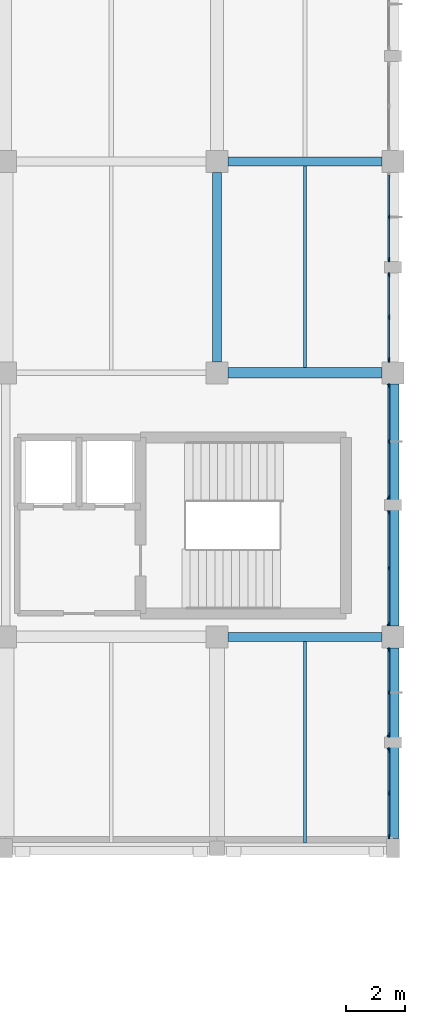
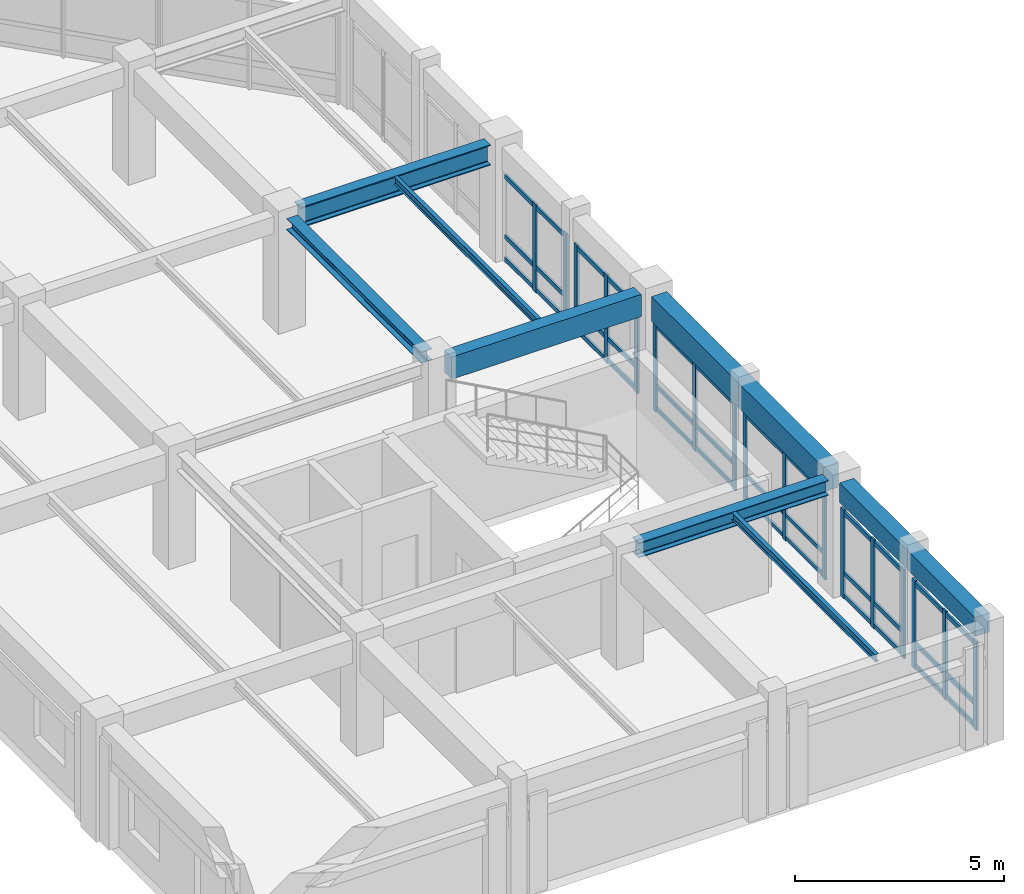
# One storey, part 35 of 74: 53 members, 8 beams, 6 elements without a shape of their own.
"""IFC4 building model written with IfcOpenShell, lengths in metres."""

import ifcopenshell
import ifcopenshell.guid

model = None  # the IFC model being written
_history = None  # IfcOwnerHistory: only IFC2X3 demands one
_inside = {}  # id of a spatial element -> (the spatial element, [elements in it])
_under = {}  # id of a project, library or spatial element -> (it, [spatial elements below it])
_declared = {}  # id of a project -> (the project, [libraries it declares])
_typed = {}  # id of a type object -> (the type object, [elements of that type])
_made_of = {}  # id of a material, layer set ... -> (it, [elements and type objects made of it])


def new_model(schema):
    """Start an empty IFC model of exactly this schema.

    Asked for "IFC4X3", IfcOpenShell would pick the latest addendum, in which some entities
    have other attributes; the version numbers below select the first issue.
    IFC2X3 requires an IfcOwnerHistory on every rooted entity: one is made here for all.
    """
    global model, _history
    if schema == "IFC4X3":
        model = ifcopenshell.file(schema_version=(4, 3, 0, 0))
    else:
        model = ifcopenshell.file(schema=schema)
    _inside.clear()
    _under.clear()
    _declared.clear()
    _typed.clear()
    _made_of.clear()
    _history = None
    if model.schema == "IFC2X3":
        org = make("IfcOrganization", Name="unknown")
        user = make(
            "IfcPersonAndOrganization",
            ThePerson=make("IfcPerson", FamilyName="unknown"),
            TheOrganization=org,
        )
        app = make(
            "IfcApplication",
            ApplicationDeveloper=org,
            Version="unknown",
            ApplicationFullName="unknown",
            ApplicationIdentifier="unknown",
        )
        _history = make(
            "IfcOwnerHistory",
            OwningUser=user,
            OwningApplication=app,
            ChangeAction="ADDED",
            CreationDate=0,
        )
    return model


def make(cls, **values):
    """One entity of the class cls with the attributes given. An attribute that is None is left unset."""
    return model.create_entity(
        cls, **{name: value for name, value in values.items() if value is not None}
    )


def rooted(cls, **values):
    """An entity with a GlobalId (a new one), such as an element, a storey or a relation."""
    return make(cls, GlobalId=ifcopenshell.guid.new(), OwnerHistory=_history, **values)


def si_unit(unit_type, name, prefix=None):
    """IfcSIUnit, for example si_unit("LENGTHUNIT", "METRE", prefix="MILLI")."""
    return make("IfcSIUnit", UnitType=unit_type, Prefix=prefix, Name=name)


def assignment(units):
    """IfcUnitAssignment: the units of a project."""
    return None if units is None else make("IfcUnitAssignment", Units=units)


def point(xyz):
    """IfcCartesianPoint."""
    return None if xyz is None else make("IfcCartesianPoint", Coordinates=xyz)


def direction(xyz):
    """IfcDirection."""
    return None if xyz is None else make("IfcDirection", DirectionRatios=xyz)


def frame(location, z_axis=None, x_axis=None):
    """IfcAxis2Placement3D, a coordinate frame: its origin and axes. An axis left out is left unset."""
    return make(
        "IfcAxis2Placement3D",
        Location=point(location),
        Axis=direction(z_axis),
        RefDirection=direction(x_axis),
    )


def frame_2d(location, x_axis=None):
    """IfcAxis2Placement2D, a coordinate frame in the plane: its origin and x axis."""
    return make(
        "IfcAxis2Placement2D", Location=point(location), RefDirection=direction(x_axis)
    )


def origin():
    """The frame at (0, 0, 0) with its axes left unset."""
    return frame((0.0, 0.0, 0.0))


def origin_2d():
    """The frame at (0, 0) in the plane with its x axis left unset."""
    return frame_2d((0.0, 0.0))


def place(relative_to, where):
    """IfcLocalPlacement: puts the frame where relative to a parent placement (None: the world)."""
    return make(
        "IfcLocalPlacement", PlacementRelTo=relative_to, RelativePlacement=where
    )


def context(
    kind, dimensions, precision=None, world=None, true_north=None, identifier=None
):
    """IfcGeometricRepresentationContext, for example the 3D "Model" context."""
    return make(
        "IfcGeometricRepresentationContext",
        ContextIdentifier=identifier,
        ContextType=kind,
        CoordinateSpaceDimension=dimensions,
        Precision=precision,
        WorldCoordinateSystem=world,
        TrueNorth=true_north,
    )


def subcontext(parent, identifier, kind, view, scale=None):
    """IfcGeometricRepresentationSubContext, for example "Body" below "Model"."""
    return make(
        "IfcGeometricRepresentationSubContext",
        ContextIdentifier=identifier,
        ContextType=kind,
        ParentContext=parent,
        TargetScale=scale,
        TargetView=view,
    )


def project(units=None, contexts=None):
    """IfcProject with its units and contexts."""
    return rooted(
        "IfcProject",
        Name="project",
        RepresentationContexts=contexts,
        UnitsInContext=assignment(units),
    )


def spatial(cls, under=None, at=None, **own):
    """A site, building, storey or space (cls), placed at a placement, below another one or the project."""
    s = rooted(cls, ObjectPlacement=at, **own)
    if under is not None:
        _under.setdefault(under.id(), (under, []))[1].append(s)
    return s


def profile(cls, at=None, kind="AREA", **sizes):
    """A parametric profile (cls). Its sizes go by their IFC names, for example OverallWidth=200.0."""
    return make(cls, ProfileType=kind, Position=at, **sizes)


def rectangle(**sizes):
    """IfcRectangleProfileDef."""
    return profile("IfcRectangleProfileDef", **sizes)


def i_section(**sizes):
    """IfcIShapeProfileDef."""
    return profile("IfcIShapeProfileDef", **sizes)


def extrude(swept, where, along, depth):
    """IfcExtrudedAreaSolid: the profile swept, set in the frame where, extruded along a direction by depth."""
    return make(
        "IfcExtrudedAreaSolid",
        SweptArea=swept,
        Position=where,
        ExtrudedDirection=direction(along),
        Depth=depth,
    )


def shape(context_of_items, identifier, shape_type, items):
    """IfcShapeRepresentation: the items that make up one representation, for example the "Body"."""
    return make(
        "IfcShapeRepresentation",
        ContextOfItems=context_of_items,
        RepresentationIdentifier=identifier,
        RepresentationType=shape_type,
        Items=items,
    )


def material(Name=None, Category=None):
    """IfcMaterial."""
    return make("IfcMaterial", Name=Name, Category=Category)


def material_profile(
    of_material, cross_section, Name=None, Category=None, Priority=None
):
    """IfcMaterialProfile: a cross section and its material."""
    return make(
        "IfcMaterialProfile",
        Name=Name,
        Material=of_material,
        Profile=cross_section,
        Priority=Priority,
        Category=Category,
    )


def profile_set(profiles, Name=None, composite=None):
    """IfcMaterialProfileSet."""
    return make(
        "IfcMaterialProfileSet",
        Name=Name,
        MaterialProfiles=profiles,
        CompositeProfile=composite,
    )


def made_of(thing, what):
    """Note that an element or type object is made of a material, layer set ...; save() writes the relation."""
    if what is not None:
        _made_of.setdefault(what.id(), (what, []))[1].append(thing)
    return thing


def type_object(cls, material=None, **own):
    """A type object (cls), such as IfcWallType, which elements share."""
    return made_of(rooted(cls, **own), material)


def element(
    cls,
    number,
    at=None,
    inside=None,
    cuts=None,
    type_object=None,
    material=None,
    context=None,
    identifier="Body",
    shape_type=None,
    held_by="IfcProductDefinitionShape",
    body=None,
    shapes=None,
    **own,
):
    """One element of the class cls, such as IfcWall. Its Tag is "e" and its number.

    at: its placement. inside: the storey or other place that contains it. cuts: it is an
    opening in that element (IfcRelVoidsElement). A single representation is given by context,
    identifier, shape_type and body (its items); several are given by shapes. held_by: the class
    of the entity that holds the representations. save() writes the other relations.
    """
    e = rooted(cls, Tag="e%d" % number, ObjectPlacement=at, **own)
    if body is not None:
        shapes = [shape(context, identifier, shape_type, body)]
    if shapes is not None:
        e.Representation = make(held_by, Representations=shapes)
    if inside is not None:
        _inside.setdefault(inside.id(), (inside, []))[1].append(e)
    if cuts is not None:
        rooted(
            "IfcRelVoidsElement", RelatingBuildingElement=cuts, RelatedOpeningElement=e
        )
    if type_object is not None:
        _typed.setdefault(type_object.id(), (type_object, []))[1].append(e)
    return made_of(e, material)


def aggregate(whole, parts):
    """IfcRelAggregates: a whole, such as a stair, and the parts it consists of."""
    return rooted("IfcRelAggregates", RelatingObject=whole, RelatedObjects=parts)


def save(model, path):
    """Write the relations noted so far, then the file.

    IfcRelAggregates (storeys below a building ...), IfcRelContainedInSpatialStructure (elements
    in a storey), IfcRelDefinesByType, IfcRelAssociatesMaterial and IfcRelDeclares: one each for
    every whole, place, type object, material and project.
    """
    for whole, parts in _under.values():
        aggregate(whole, parts)
    for where, things in _inside.values():
        rooted(
            "IfcRelContainedInSpatialStructure",
            RelatedElements=things,
            RelatingStructure=where,
        )
    for kind, things in _typed.values():
        rooted("IfcRelDefinesByType", RelatedObjects=things, RelatingType=kind)
    for what, things in _made_of.values():
        rooted("IfcRelAssociatesMaterial", RelatedObjects=things, RelatingMaterial=what)
    for by, libraries in _declared.values():
        rooted("IfcRelDeclares", RelatingContext=by, RelatedDefinitions=libraries)
    model.write(path)


model = new_model("IFC4")

# Units and contexts
model_context = context("Model", 3, precision=1e-05, world=origin(), true_north=direction((0.0, 1.0)))
body_context = subcontext(model_context, "Body", "Model", "MODEL_VIEW")
ifc_project = project(units=[si_unit("LENGTHUNIT", "METRE"), si_unit("AREAUNIT", "SQUARE_METRE"), si_unit("VOLUMEUNIT", "CUBIC_METRE"), si_unit("PLANEANGLEUNIT", "RADIAN"), si_unit("MASSUNIT", "GRAM", prefix="KILO")], contexts=[model_context])

# Site, building, storey
site_placement = place(None, origin())
site = spatial("IfcSite", under=ifc_project, at=site_placement, CompositionType="ELEMENT")
building_placement = place(site_placement, origin())
building = spatial("IfcBuilding", under=site, at=building_placement, Name="Clarverna Civic Hall", CompositionType="ELEMENT")
storey_placement = place(building_placement, frame((0.0, 0.0, 13.199951171875)))
storey = spatial("IfcBuildingStorey", under=building, at=storey_placement, Name="L03", CompositionType="ELEMENT", Elevation=13.199951171875)

# Beams
ifc_material_1 = material(Name="Concrete C35/45", Category="concrete")
ifc_material_profile_1 = material_profile(ifc_material_1, rectangle(XDim=0.35009765625, YDim=0.64990234375, at=origin_2d()), Name="RC 350x650")
ifc_profile_set_1 = profile_set([ifc_material_profile_1], Name="Concrete C35/45")
beam_type_1 = type_object("IfcBeamType", Name="B-RC17", PredefinedType="BEAM", material=ifc_profile_set_1)
beam_1_placement = place(storey_placement, frame((162.375, 87.800048828125, 2.9951171875), z_axis=(1.0, 0.0, 0.0), x_axis=(0.0, 1.0, 0.0)))
element("IfcBeam", 1, at=beam_1_placement, inside=storey, type_object=beam_type_1, Name="B-RC17-031", PredefinedType="BEAM", context=body_context, shape_type="SweptSolid", body=[
    extrude(rectangle(XDim=0.35009765625, YDim=0.64990234375, at=origin_2d()), origin(), (0.0, 0.0, 1.0), 5.25),
])
ifc_material_profile_2 = material_profile(ifc_material_1, rectangle(XDim=0.419921875, YDim=0.719970703125, at=origin_2d()), Name="RC 420x720")
ifc_profile_set_2 = profile_set([ifc_material_profile_2], Name="Concrete C35/45")
beam_type_2 = type_object("IfcBeamType", Name="B-SP1", PredefinedType="SPANDREL", material=ifc_profile_set_2)
beam_2_placement = place(storey_placement, frame((168.0, 79.175048828125, 2.9599609375), z_axis=(0.0, 1.0, 0.0), x_axis=(-1.0, 0.0, 0.0)))
element("IfcBeam", 2, at=beam_2_placement, inside=storey, type_object=beam_type_2, Name="B-SP1-126", PredefinedType="SPANDREL", context=body_context, shape_type="SweptSolid", body=[
    extrude(rectangle(XDim=0.419921875, YDim=0.719970703125, at=origin_2d()), origin(), (0.0, 0.0, 1.0), 8.25),
])
ifc_material_profile_3 = material_profile(ifc_material_1, rectangle(XDim=0.39990234375, YDim=0.56005859375, at=origin_2d()), Name="RC 400x560")
ifc_profile_set_3 = profile_set([ifc_material_profile_3], Name="Concrete C35/45")
beam_type_3 = type_object("IfcBeamType", Name="B-SP4", PredefinedType="SPANDREL", material=ifc_profile_set_3)
beam_3_placement = place(storey_placement, frame((168.0, 71.925048828125, 3.0400390625), z_axis=(0.0, 1.0, 0.0), x_axis=(-1.0, 0.0, 0.0)))
element("IfcBeam", 3, at=beam_3_placement, inside=storey, type_object=beam_type_3, Name="B-SP4-129", PredefinedType="SPANDREL", context=body_context, shape_type="SweptSolid", body=[
    extrude(rectangle(XDim=0.39990234375, YDim=0.56005859375, at=origin_2d()), origin(), (0.0, 0.0, 1.0), 6.5),
])
ifc_material_2 = material(Name="Steel S355", Category="steel")
ifc_material_profile_4 = material_profile(ifc_material_2, i_section(OverallWidth=0.300048828125, OverallDepth=0.60009765625, WebThickness=0.015380859375, FlangeThickness=0.030029296875, FilletRadius=0.027099609375, at=origin_2d()), Name="HEB 600")
ifc_profile_set_4 = profile_set([ifc_material_profile_4], Name="Steel S355")
beam_type_4 = type_object("IfcBeamType", Name="B-ST1", PredefinedType="BEAM", material=ifc_profile_set_4)
beam_4_placement = place(storey_placement, frame((162.375, 95.0, 3.02001953125), z_axis=(1.0, 0.0, 0.0), x_axis=(0.0, 1.0, 0.0)))
element("IfcBeam", 4, at=beam_4_placement, inside=storey, type_object=beam_type_4, Name="B-ST1-014", PredefinedType="BEAM", context=body_context, shape_type="SweptSolid", body=[
    extrude(i_section(OverallWidth=0.300048828125, OverallDepth=0.60009765625, WebThickness=0.015380859375, FlangeThickness=0.030029296875, FilletRadius=0.027099609375, at=origin_2d()), origin(), (0.0, 0.0, 1.0), 5.25),
])
ifc_material_profile_5 = material_profile(ifc_material_2, i_section(OverallWidth=0.300048828125, OverallDepth=0.43994140625, WebThickness=0.011474609375, FlangeThickness=0.02099609375, FilletRadius=0.027099609375, at=origin_2d()), Name="HEA 450")
ifc_profile_set_5 = profile_set([ifc_material_profile_5], Name="Steel S355")
beam_type_5 = type_object("IfcBeamType", Name="B-ST5", PredefinedType="BEAM", material=ifc_profile_set_5)
beam_5_placement = place(storey_placement, frame((162.375, 78.800048828125, 3.10009765625), z_axis=(1.0, 0.0, 0.0), x_axis=(0.0, 1.0, 0.0)))
element("IfcBeam", 5, at=beam_5_placement, inside=storey, type_object=beam_type_5, Name="B-ST5-108", PredefinedType="BEAM", context=body_context, shape_type="SweptSolid", body=[
    extrude(i_section(OverallWidth=0.300048828125, OverallDepth=0.43994140625, WebThickness=0.011474609375, FlangeThickness=0.02099609375, FilletRadius=0.027099609375, at=origin_2d()), origin(), (0.0, 0.0, 1.0), 5.25),
])
ifc_material_profile_6 = material_profile(ifc_material_2, i_section(OverallWidth=0.300048828125, OverallDepth=0.330078125, WebThickness=0.009521484375, FlangeThickness=0.0166015625, FilletRadius=0.027099609375, at=origin_2d()), Name="HEA 340")
ifc_profile_set_6 = profile_set([ifc_material_profile_6], Name="Steel S355")
beam_type_6 = type_object("IfcBeamType", Name="B-ST8", PredefinedType="BEAM", material=ifc_profile_set_6)
beam_6_placement = place(storey_placement, frame((162.0, 88.175048828125, 3.155029296875), z_axis=(0.0, 1.0, 0.0), x_axis=(-1.0, 0.0, 0.0)))
element("IfcBeam", 6, at=beam_6_placement, inside=storey, type_object=beam_type_6, Name="B-ST8-088", PredefinedType="BEAM", context=body_context, shape_type="SweptSolid", body=[
    extrude(i_section(OverallWidth=0.300048828125, OverallDepth=0.330078125, WebThickness=0.009521484375, FlangeThickness=0.0166015625, FilletRadius=0.027099609375, at=origin_2d()), origin(), (0.0, 0.0, 1.0), 6.449951171875),
])

# Curtain wall, members
ifc_material_3 = material(Name="Anodised Bronze Architectural Aluminium", Category="aluminium")
curtain_wall_type = type_object("IfcCurtainWallType", Name="CW-01", PredefinedType="USERDEFINED", material=ifc_material_3)
curtain_wall_1_placement = place(storey_placement, origin())
curtain_wall_1 = element("IfcCurtainWall", 7, at=curtain_wall_1_placement, inside=storey, type_object=curtain_wall_type, Name="CW-01-070", ObjectType="UNITISED CURTAIN WALL", PredefinedType="USERDEFINED")
ifc_material_profile_7 = material_profile(ifc_material_3, rectangle(XDim=0.06005859375, YDim=0.159912109375, at=origin_2d()), Name="BRONZE 60x160")
ifc_profile_set_7 = profile_set([ifc_material_profile_7], Name="Anodised Bronze Architectural Aluminium")
member_type_1 = type_object("IfcMemberType", Name="CWM-02", PredefinedType="MULLION", material=ifc_profile_set_7)
member_1_placement = place(storey_placement, frame((167.860107421875, 93.107421875, 0.0), z_axis=(0.0, 0.0, 1.0), x_axis=(1.0, 0.0, 0.0)))
member_1 = element("IfcMember", 8, at=member_1_placement, type_object=member_type_1, Name="CWM-02-157", PredefinedType="MULLION", context=body_context, shape_type="SweptSolid", body=[
    extrude(rectangle(XDim=0.06005859375, YDim=0.159912109375, at=origin_2d()), origin(), (0.0, 0.0, 1.0), 2.60009765625),
])
member_2_placement = place(storey_placement, frame((167.860107421875, 91.6630859375, 0.0), z_axis=(0.0, 0.0, 1.0), x_axis=(1.0, 0.0, 0.0)))
member_2 = element("IfcMember", 9, at=member_2_placement, type_object=member_type_1, Name="CWM-02-158", PredefinedType="MULLION", context=body_context, shape_type="SweptSolid", body=[
    extrude(rectangle(XDim=0.06005859375, YDim=0.159912109375, at=origin_2d()), origin(), (0.0, 0.0, 1.0), 2.60009765625),
])

curtain_wall_2_placement = place(storey_placement, origin())
curtain_wall_2 = element("IfcCurtainWall", 10, at=curtain_wall_2_placement, inside=storey, type_object=curtain_wall_type, Name="CW-01-071", ObjectType="UNITISED CURTAIN WALL", PredefinedType="USERDEFINED")
member_3_placement = place(storey_placement, frame((167.860107421875, 91.136962890625, 0.0), z_axis=(0.0, 0.0, 1.0), x_axis=(1.0, 0.0, 0.0)))
member_3 = element("IfcMember", 11, at=member_3_placement, type_object=member_type_1, Name="CWM-02-159", PredefinedType="MULLION", context=body_context, shape_type="SweptSolid", body=[
    extrude(rectangle(XDim=0.06005859375, YDim=0.159912109375, at=origin_2d()), origin(), (0.0, 0.0, 1.0), 2.60009765625),
])
member_4_placement = place(storey_placement, frame((167.860107421875, 89.6923828125, 0.0), z_axis=(0.0, 0.0, 1.0), x_axis=(1.0, 0.0, 0.0)))
member_4 = element("IfcMember", 12, at=member_4_placement, type_object=member_type_1, Name="CWM-02-160", PredefinedType="MULLION", context=body_context, shape_type="SweptSolid", body=[
    extrude(rectangle(XDim=0.06005859375, YDim=0.159912109375, at=origin_2d()), origin(), (0.0, 0.0, 1.0), 2.60009765625),
])
member_5_placement = place(storey_placement, frame((167.860107421875, 88.248046875, 0.0), z_axis=(0.0, 0.0, 1.0), x_axis=(1.0, 0.0, 0.0)))
member_5 = element("IfcMember", 13, at=member_5_placement, type_object=member_type_1, Name="CWM-02-161", PredefinedType="MULLION", context=body_context, shape_type="SweptSolid", body=[
    extrude(rectangle(XDim=0.06005859375, YDim=0.159912109375, at=origin_2d()), origin(), (0.0, 0.0, 1.0), 2.60009765625),
])

curtain_wall_3_placement = place(storey_placement, origin())
curtain_wall_3 = element("IfcCurtainWall", 14, at=curtain_wall_3_placement, inside=storey, type_object=curtain_wall_type, Name="CW-01-074", ObjectType="UNITISED CURTAIN WALL", PredefinedType="USERDEFINED")
member_6_placement = place(storey_placement, frame((167.860107421875, 78.35205078125, 0.0), z_axis=(0.0, 0.0, 1.0), x_axis=(1.0, 0.0, 0.0)))
member_6 = element("IfcMember", 15, at=member_6_placement, type_object=member_type_1, Name="CWM-02-162", PredefinedType="MULLION", context=body_context, shape_type="SweptSolid", body=[
    extrude(rectangle(XDim=0.06005859375, YDim=0.159912109375, at=origin_2d()), origin(), (0.0, 0.0, 1.0), 2.60009765625),
])
member_7_placement = place(storey_placement, frame((167.860107421875, 76.907470703125, 0.0), z_axis=(0.0, 0.0, 1.0), x_axis=(1.0, 0.0, 0.0)))
member_7 = element("IfcMember", 16, at=member_7_placement, type_object=member_type_1, Name="CWM-02-163", PredefinedType="MULLION", context=body_context, shape_type="SweptSolid", body=[
    extrude(rectangle(XDim=0.06005859375, YDim=0.159912109375, at=origin_2d()), origin(), (0.0, 0.0, 1.0), 2.60009765625),
])
member_8_placement = place(storey_placement, frame((167.860107421875, 75.462890625, 0.0), z_axis=(0.0, 0.0, 1.0), x_axis=(1.0, 0.0, 0.0)))
member_8 = element("IfcMember", 17, at=member_8_placement, type_object=member_type_1, Name="CWM-02-164", PredefinedType="MULLION", context=body_context, shape_type="SweptSolid", body=[
    extrude(rectangle(XDim=0.06005859375, YDim=0.159912109375, at=origin_2d()), origin(), (0.0, 0.0, 1.0), 2.60009765625),
])

curtain_wall_4_placement = place(storey_placement, origin())
curtain_wall_4 = element("IfcCurtainWall", 18, at=curtain_wall_4_placement, inside=storey, type_object=curtain_wall_type, Name="CW-01-075", ObjectType="UNITISED CURTAIN WALL", PredefinedType="USERDEFINED")
member_9_placement = place(storey_placement, frame((167.860107421875, 74.93701171875, 0.0), z_axis=(0.0, 0.0, 1.0), x_axis=(1.0, 0.0, 0.0)))
member_9 = element("IfcMember", 19, at=member_9_placement, type_object=member_type_1, Name="CWM-02-165", PredefinedType="MULLION", context=body_context, shape_type="SweptSolid", body=[
    extrude(rectangle(XDim=0.06005859375, YDim=0.159912109375, at=origin_2d()), origin(), (0.0, 0.0, 1.0), 2.60009765625),
])
member_10_placement = place(storey_placement, frame((167.860107421875, 73.467529296875, 0.0), z_axis=(0.0, 0.0, 1.0), x_axis=(1.0, 0.0, 0.0)))
member_10 = element("IfcMember", 20, at=member_10_placement, type_object=member_type_1, Name="CWM-02-166", PredefinedType="MULLION", context=body_context, shape_type="SweptSolid", body=[
    extrude(rectangle(XDim=0.06005859375, YDim=0.159912109375, at=origin_2d()), origin(), (0.0, 0.0, 1.0), 2.60009765625),
])
member_11_placement = place(storey_placement, frame((167.860107421875, 71.998046875, 0.0), z_axis=(0.0, 0.0, 1.0), x_axis=(1.0, 0.0, 0.0)))
member_11 = element("IfcMember", 21, at=member_11_placement, type_object=member_type_1, Name="CWM-02-167", PredefinedType="MULLION", context=body_context, shape_type="SweptSolid", body=[
    extrude(rectangle(XDim=0.06005859375, YDim=0.159912109375, at=origin_2d()), origin(), (0.0, 0.0, 1.0), 2.60009765625),
])

curtain_wall_5_placement = place(storey_placement, origin())
curtain_wall_5 = element("IfcCurtainWall", 22, at=curtain_wall_5_placement, inside=storey, type_object=curtain_wall_type, Name="CW-01-072", ObjectType="UNITISED CURTAIN WALL", PredefinedType="USERDEFINED")
ifc_material_profile_8 = material_profile(ifc_material_3, rectangle(XDim=0.054931640625, YDim=0.139892578125, at=origin_2d()), Name="BRONZE 55x140")
ifc_profile_set_8 = profile_set([ifc_material_profile_8], Name="Anodised Bronze Architectural Aluminium")
member_type_2 = type_object("IfcMemberType", Name="CWM-04", PredefinedType="MULLION", material=ifc_profile_set_8)
member_12_placement = place(storey_placement, frame((167.860107421875, 87.35205078125, 0.0), z_axis=(0.0, 0.0, 1.0), x_axis=(1.0, 0.0, 0.0)))
member_12 = element("IfcMember", 23, at=member_12_placement, type_object=member_type_2, Name="CWM-04-162", PredefinedType="MULLION", context=body_context, shape_type="SweptSolid", body=[
    extrude(rectangle(XDim=0.054931640625, YDim=0.139892578125, at=origin_2d()), origin(), (0.0, 0.0, 1.0), 2.60009765625),
])
member_13_placement = place(storey_placement, frame((167.860107421875, 85.45751953125, 0.0), z_axis=(0.0, 0.0, 1.0), x_axis=(1.0, 0.0, 0.0)))
member_13 = element("IfcMember", 24, at=member_13_placement, type_object=member_type_2, Name="CWM-04-163", PredefinedType="MULLION", context=body_context, shape_type="SweptSolid", body=[
    extrude(rectangle(XDim=0.054931640625, YDim=0.139892578125, at=origin_2d()), origin(), (0.0, 0.0, 1.0), 2.60009765625),
])
member_14_placement = place(storey_placement, frame((167.860107421875, 83.56298828125, 0.0), z_axis=(0.0, 0.0, 1.0), x_axis=(1.0, 0.0, 0.0)))
member_14 = element("IfcMember", 25, at=member_14_placement, type_object=member_type_2, Name="CWM-04-164", PredefinedType="MULLION", context=body_context, shape_type="SweptSolid", body=[
    extrude(rectangle(XDim=0.054931640625, YDim=0.139892578125, at=origin_2d()), origin(), (0.0, 0.0, 1.0), 2.60009765625),
])

curtain_wall_6_placement = place(storey_placement, origin())
curtain_wall_6 = element("IfcCurtainWall", 26, at=curtain_wall_6_placement, inside=storey, type_object=curtain_wall_type, Name="CW-01-073", ObjectType="UNITISED CURTAIN WALL", PredefinedType="USERDEFINED")
member_15_placement = place(storey_placement, frame((167.860107421875, 83.037109375, 0.0), z_axis=(0.0, 0.0, 1.0), x_axis=(1.0, 0.0, 0.0)))
member_15 = element("IfcMember", 27, at=member_15_placement, type_object=member_type_2, Name="CWM-04-165", PredefinedType="MULLION", context=body_context, shape_type="SweptSolid", body=[
    extrude(rectangle(XDim=0.054931640625, YDim=0.139892578125, at=origin_2d()), origin(), (0.0, 0.0, 1.0), 2.60009765625),
])
member_16_placement = place(storey_placement, frame((167.860107421875, 81.142578125, 0.0), z_axis=(0.0, 0.0, 1.0), x_axis=(1.0, 0.0, 0.0)))
member_16 = element("IfcMember", 28, at=member_16_placement, type_object=member_type_2, Name="CWM-04-166", PredefinedType="MULLION", context=body_context, shape_type="SweptSolid", body=[
    extrude(rectangle(XDim=0.054931640625, YDim=0.139892578125, at=origin_2d()), origin(), (0.0, 0.0, 1.0), 2.60009765625),
])
member_17_placement = place(storey_placement, frame((167.860107421875, 79.248046875, 0.0), z_axis=(0.0, 0.0, 1.0), x_axis=(1.0, 0.0, 0.0)))
member_17 = element("IfcMember", 29, at=member_17_placement, type_object=member_type_2, Name="CWM-04-167", PredefinedType="MULLION", context=body_context, shape_type="SweptSolid", body=[
    extrude(rectangle(XDim=0.054931640625, YDim=0.139892578125, at=origin_2d()), origin(), (0.0, 0.0, 1.0), 2.60009765625),
])

# Member
ifc_material_profile_9 = material_profile(ifc_material_3, rectangle(XDim=0.06005859375, YDim=0.1298828125, at=origin_2d()), Name="BRONZE 60x130")
ifc_profile_set_9 = profile_set([ifc_material_profile_9], Name="Anodised Bronze Architectural Aluminium")
member_type_3 = type_object("IfcMemberType", Name="CWT-02", PredefinedType="USERDEFINED", material=ifc_profile_set_9)
member_18_placement = place(storey_placement, frame((167.860107421875, 94.537109375, 0.094970703125), z_axis=(0.0, -1.0, 0.0), x_axis=(1.0, 0.0, 0.0)))
member_18 = element("IfcMember", 30, at=member_18_placement, type_object=member_type_3, Name="CWT-02-328", ObjectType="TRANSOM", PredefinedType="USERDEFINED", context=body_context, shape_type="SweptSolid", body=[
    extrude(rectangle(XDim=0.06005859375, YDim=0.1298828125, at=origin_2d()), origin(), (0.0, 0.0, 1.0), 1.41455078125),
])

member_19_placement = place(storey_placement, frame((167.860107421875, 94.537109375, 0.75), z_axis=(0.0, -1.0, 0.0), x_axis=(1.0, 0.0, 0.0)))
member_19 = element("IfcMember", 31, at=member_19_placement, type_object=member_type_3, Name="CWT-02-329", ObjectType="TRANSOM", PredefinedType="USERDEFINED", context=body_context, shape_type="SweptSolid", body=[
    extrude(rectangle(XDim=0.06005859375, YDim=0.1298828125, at=origin_2d()), origin(), (0.0, 0.0, 1.0), 1.41455078125),
])

member_20_placement = place(storey_placement, frame((167.860107421875, 94.537109375, 2.505126953125), z_axis=(0.0, -1.0, 0.0), x_axis=(1.0, 0.0, 0.0)))
member_20 = element("IfcMember", 32, at=member_20_placement, type_object=member_type_3, Name="CWT-02-330", ObjectType="TRANSOM", PredefinedType="USERDEFINED", context=body_context, shape_type="SweptSolid", body=[
    extrude(rectangle(XDim=0.06005859375, YDim=0.1298828125, at=origin_2d()), origin(), (0.0, 0.0, 1.0), 1.41455078125),
])

member_21_placement = place(storey_placement, frame((167.860107421875, 93.092529296875, 0.094970703125), z_axis=(0.0, -1.0, 0.0), x_axis=(1.0, 0.0, 0.0)))
member_21 = element("IfcMember", 33, at=member_21_placement, type_object=member_type_3, Name="CWT-02-331", ObjectType="TRANSOM", PredefinedType="USERDEFINED", context=body_context, shape_type="SweptSolid", body=[
    extrude(rectangle(XDim=0.06005859375, YDim=0.1298828125, at=origin_2d()), origin(), (0.0, 0.0, 1.0), 1.41455078125),
])

member_22_placement = place(storey_placement, frame((167.860107421875, 93.092529296875, 0.75), z_axis=(0.0, -1.0, 0.0), x_axis=(1.0, 0.0, 0.0)))
member_22 = element("IfcMember", 34, at=member_22_placement, type_object=member_type_3, Name="CWT-02-332", ObjectType="TRANSOM", PredefinedType="USERDEFINED", context=body_context, shape_type="SweptSolid", body=[
    extrude(rectangle(XDim=0.06005859375, YDim=0.1298828125, at=origin_2d()), origin(), (0.0, 0.0, 1.0), 1.41455078125),
])

member_23_placement = place(storey_placement, frame((167.860107421875, 93.092529296875, 2.505126953125), z_axis=(0.0, -1.0, 0.0), x_axis=(1.0, 0.0, 0.0)))
member_23 = element("IfcMember", 35, at=member_23_placement, type_object=member_type_3, Name="CWT-02-333", ObjectType="TRANSOM", PredefinedType="USERDEFINED", context=body_context, shape_type="SweptSolid", body=[
    extrude(rectangle(XDim=0.06005859375, YDim=0.1298828125, at=origin_2d()), origin(), (0.0, 0.0, 1.0), 1.41455078125),
])

aggregate(curtain_wall_1, [member_1, member_2, member_18, member_19, member_20, member_21, member_22, member_23])

member_24_placement = place(storey_placement, frame((167.860107421875, 91.1220703125, 0.094970703125), z_axis=(0.0, -1.0, 0.0), x_axis=(1.0, 0.0, 0.0)))
member_24 = element("IfcMember", 36, at=member_24_placement, type_object=member_type_3, Name="CWT-02-334", ObjectType="TRANSOM", PredefinedType="USERDEFINED", context=body_context, shape_type="SweptSolid", body=[
    extrude(rectangle(XDim=0.06005859375, YDim=0.1298828125, at=origin_2d()), origin(), (0.0, 0.0, 1.0), 1.41455078125),
])

member_25_placement = place(storey_placement, frame((167.860107421875, 91.1220703125, 0.75), z_axis=(0.0, -1.0, 0.0), x_axis=(1.0, 0.0, 0.0)))
member_25 = element("IfcMember", 37, at=member_25_placement, type_object=member_type_3, Name="CWT-02-335", ObjectType="TRANSOM", PredefinedType="USERDEFINED", context=body_context, shape_type="SweptSolid", body=[
    extrude(rectangle(XDim=0.06005859375, YDim=0.1298828125, at=origin_2d()), origin(), (0.0, 0.0, 1.0), 1.41455078125),
])

member_26_placement = place(storey_placement, frame((167.860107421875, 91.1220703125, 2.505126953125), z_axis=(0.0, -1.0, 0.0), x_axis=(1.0, 0.0, 0.0)))
member_26 = element("IfcMember", 38, at=member_26_placement, type_object=member_type_3, Name="CWT-02-336", ObjectType="TRANSOM", PredefinedType="USERDEFINED", context=body_context, shape_type="SweptSolid", body=[
    extrude(rectangle(XDim=0.06005859375, YDim=0.1298828125, at=origin_2d()), origin(), (0.0, 0.0, 1.0), 1.41455078125),
])

member_27_placement = place(storey_placement, frame((167.860107421875, 89.677490234375, 0.094970703125), z_axis=(0.0, -1.0, 0.0), x_axis=(1.0, 0.0, 0.0)))
member_27 = element("IfcMember", 39, at=member_27_placement, type_object=member_type_3, Name="CWT-02-337", ObjectType="TRANSOM", PredefinedType="USERDEFINED", context=body_context, shape_type="SweptSolid", body=[
    extrude(rectangle(XDim=0.06005859375, YDim=0.1298828125, at=origin_2d()), origin(), (0.0, 0.0, 1.0), 1.41455078125),
])

member_28_placement = place(storey_placement, frame((167.860107421875, 89.677490234375, 0.75), z_axis=(0.0, -1.0, 0.0), x_axis=(1.0, 0.0, 0.0)))
member_28 = element("IfcMember", 40, at=member_28_placement, type_object=member_type_3, Name="CWT-02-338", ObjectType="TRANSOM", PredefinedType="USERDEFINED", context=body_context, shape_type="SweptSolid", body=[
    extrude(rectangle(XDim=0.06005859375, YDim=0.1298828125, at=origin_2d()), origin(), (0.0, 0.0, 1.0), 1.41455078125),
])

member_29_placement = place(storey_placement, frame((167.860107421875, 89.677490234375, 2.505126953125), z_axis=(0.0, -1.0, 0.0), x_axis=(1.0, 0.0, 0.0)))
member_29 = element("IfcMember", 41, at=member_29_placement, type_object=member_type_3, Name="CWT-02-339", ObjectType="TRANSOM", PredefinedType="USERDEFINED", context=body_context, shape_type="SweptSolid", body=[
    extrude(rectangle(XDim=0.06005859375, YDim=0.1298828125, at=origin_2d()), origin(), (0.0, 0.0, 1.0), 1.41455078125),
])

aggregate(curtain_wall_2, [member_3, member_4, member_5, member_24, member_25, member_26, member_27, member_28, member_29])

member_30_placement = place(storey_placement, frame((167.860107421875, 78.3369140625, 0.094970703125), z_axis=(0.0, -1.0, 0.0), x_axis=(1.0, 0.0, 0.0)))
member_30 = element("IfcMember", 42, at=member_30_placement, type_object=member_type_3, Name="CWT-02-340", ObjectType="TRANSOM", PredefinedType="USERDEFINED", context=body_context, shape_type="SweptSolid", body=[
    extrude(rectangle(XDim=0.06005859375, YDim=0.1298828125, at=origin_2d()), origin(), (0.0, 0.0, 1.0), 1.414306640625),
])

member_31_placement = place(storey_placement, frame((167.860107421875, 78.3369140625, 0.75), z_axis=(0.0, -1.0, 0.0), x_axis=(1.0, 0.0, 0.0)))
member_31 = element("IfcMember", 43, at=member_31_placement, type_object=member_type_3, Name="CWT-02-341", ObjectType="TRANSOM", PredefinedType="USERDEFINED", context=body_context, shape_type="SweptSolid", body=[
    extrude(rectangle(XDim=0.06005859375, YDim=0.1298828125, at=origin_2d()), origin(), (0.0, 0.0, 1.0), 1.414306640625),
])

member_32_placement = place(storey_placement, frame((167.860107421875, 78.3369140625, 2.505126953125), z_axis=(0.0, -1.0, 0.0), x_axis=(1.0, 0.0, 0.0)))
member_32 = element("IfcMember", 44, at=member_32_placement, type_object=member_type_3, Name="CWT-02-342", ObjectType="TRANSOM", PredefinedType="USERDEFINED", context=body_context, shape_type="SweptSolid", body=[
    extrude(rectangle(XDim=0.06005859375, YDim=0.1298828125, at=origin_2d()), origin(), (0.0, 0.0, 1.0), 1.414306640625),
])

member_33_placement = place(storey_placement, frame((167.860107421875, 76.892578125, 0.094970703125), z_axis=(0.0, -1.0, 0.0), x_axis=(1.0, 0.0, 0.0)))
member_33 = element("IfcMember", 45, at=member_33_placement, type_object=member_type_3, Name="CWT-02-343", ObjectType="TRANSOM", PredefinedType="USERDEFINED", context=body_context, shape_type="SweptSolid", body=[
    extrude(rectangle(XDim=0.06005859375, YDim=0.1298828125, at=origin_2d()), origin(), (0.0, 0.0, 1.0), 1.41455078125),
])

member_34_placement = place(storey_placement, frame((167.860107421875, 76.892578125, 0.75), z_axis=(0.0, -1.0, 0.0), x_axis=(1.0, 0.0, 0.0)))
member_34 = element("IfcMember", 46, at=member_34_placement, type_object=member_type_3, Name="CWT-02-344", ObjectType="TRANSOM", PredefinedType="USERDEFINED", context=body_context, shape_type="SweptSolid", body=[
    extrude(rectangle(XDim=0.06005859375, YDim=0.1298828125, at=origin_2d()), origin(), (0.0, 0.0, 1.0), 1.41455078125),
])

member_35_placement = place(storey_placement, frame((167.860107421875, 76.892578125, 2.505126953125), z_axis=(0.0, -1.0, 0.0), x_axis=(1.0, 0.0, 0.0)))
member_35 = element("IfcMember", 47, at=member_35_placement, type_object=member_type_3, Name="CWT-02-345", ObjectType="TRANSOM", PredefinedType="USERDEFINED", context=body_context, shape_type="SweptSolid", body=[
    extrude(rectangle(XDim=0.06005859375, YDim=0.1298828125, at=origin_2d()), origin(), (0.0, 0.0, 1.0), 1.41455078125),
])

aggregate(curtain_wall_3, [member_6, member_7, member_8, member_30, member_31, member_32, member_33, member_34, member_35])

member_36_placement = place(storey_placement, frame((167.860107421875, 74.922119140625, 0.094970703125), z_axis=(0.0, -1.0, 0.0), x_axis=(1.0, 0.0, 0.0)))
member_36 = element("IfcMember", 48, at=member_36_placement, type_object=member_type_3, Name="CWT-02-346", ObjectType="TRANSOM", PredefinedType="USERDEFINED", context=body_context, shape_type="SweptSolid", body=[
    extrude(rectangle(XDim=0.06005859375, YDim=0.1298828125, at=origin_2d()), origin(), (0.0, 0.0, 1.0), 1.439697265625),
])

member_37_placement = place(storey_placement, frame((167.860107421875, 74.922119140625, 0.75), z_axis=(0.0, -1.0, 0.0), x_axis=(1.0, 0.0, 0.0)))
member_37 = element("IfcMember", 49, at=member_37_placement, type_object=member_type_3, Name="CWT-02-347", ObjectType="TRANSOM", PredefinedType="USERDEFINED", context=body_context, shape_type="SweptSolid", body=[
    extrude(rectangle(XDim=0.06005859375, YDim=0.1298828125, at=origin_2d()), origin(), (0.0, 0.0, 1.0), 1.439697265625),
])

member_38_placement = place(storey_placement, frame((167.860107421875, 74.922119140625, 2.505126953125), z_axis=(0.0, -1.0, 0.0), x_axis=(1.0, 0.0, 0.0)))
member_38 = element("IfcMember", 50, at=member_38_placement, type_object=member_type_3, Name="CWT-02-348", ObjectType="TRANSOM", PredefinedType="USERDEFINED", context=body_context, shape_type="SweptSolid", body=[
    extrude(rectangle(XDim=0.06005859375, YDim=0.1298828125, at=origin_2d()), origin(), (0.0, 0.0, 1.0), 1.439697265625),
])

member_39_placement = place(storey_placement, frame((167.860107421875, 73.452392578125, 0.094970703125), z_axis=(0.0, -1.0, 0.0), x_axis=(1.0, 0.0, 0.0)))
member_39 = element("IfcMember", 51, at=member_39_placement, type_object=member_type_3, Name="CWT-02-349", ObjectType="TRANSOM", PredefinedType="USERDEFINED", context=body_context, shape_type="SweptSolid", body=[
    extrude(rectangle(XDim=0.06005859375, YDim=0.1298828125, at=origin_2d()), origin(), (0.0, 0.0, 1.0), 1.439453125),
])

member_40_placement = place(storey_placement, frame((167.860107421875, 73.452392578125, 0.75), z_axis=(0.0, -1.0, 0.0), x_axis=(1.0, 0.0, 0.0)))
member_40 = element("IfcMember", 52, at=member_40_placement, type_object=member_type_3, Name="CWT-02-350", ObjectType="TRANSOM", PredefinedType="USERDEFINED", context=body_context, shape_type="SweptSolid", body=[
    extrude(rectangle(XDim=0.06005859375, YDim=0.1298828125, at=origin_2d()), origin(), (0.0, 0.0, 1.0), 1.439453125),
])

member_41_placement = place(storey_placement, frame((167.860107421875, 73.452392578125, 2.505126953125), z_axis=(0.0, -1.0, 0.0), x_axis=(1.0, 0.0, 0.0)))
member_41 = element("IfcMember", 53, at=member_41_placement, type_object=member_type_3, Name="CWT-02-351", ObjectType="TRANSOM", PredefinedType="USERDEFINED", context=body_context, shape_type="SweptSolid", body=[
    extrude(rectangle(XDim=0.06005859375, YDim=0.1298828125, at=origin_2d()), origin(), (0.0, 0.0, 1.0), 1.439453125),
])

aggregate(curtain_wall_4, [member_9, member_10, member_11, member_36, member_37, member_38, member_39, member_40, member_41])

ifc_material_profile_10 = material_profile(ifc_material_3, rectangle(XDim=0.054931640625, YDim=0.110107421875, at=origin_2d()), Name="BRONZE 55x110")
ifc_profile_set_10 = profile_set([ifc_material_profile_10], Name="Anodised Bronze Architectural Aluminium")
member_type_4 = type_object("IfcMemberType", Name="CWT-04", PredefinedType="USERDEFINED", material=ifc_profile_set_10)
member_42_placement = place(storey_placement, frame((167.860107421875, 87.3369140625, 0.094970703125), z_axis=(0.0, -1.0, 0.0), x_axis=(1.0, 0.0, 0.0)))
member_42 = element("IfcMember", 54, at=member_42_placement, type_object=member_type_4, Name="CWT-04-340", ObjectType="TRANSOM", PredefinedType="USERDEFINED", context=body_context, shape_type="SweptSolid", body=[
    extrude(rectangle(XDim=0.054931640625, YDim=0.110107421875, at=origin_2d()), origin(), (0.0, 0.0, 1.0), 1.864501953125),
])

member_43_placement = place(storey_placement, frame((167.860107421875, 87.3369140625, 0.75), z_axis=(0.0, -1.0, 0.0), x_axis=(1.0, 0.0, 0.0)))
member_43 = element("IfcMember", 55, at=member_43_placement, type_object=member_type_4, Name="CWT-04-341", ObjectType="TRANSOM", PredefinedType="USERDEFINED", context=body_context, shape_type="SweptSolid", body=[
    extrude(rectangle(XDim=0.054931640625, YDim=0.110107421875, at=origin_2d()), origin(), (0.0, 0.0, 1.0), 1.864501953125),
])

member_44_placement = place(storey_placement, frame((167.860107421875, 87.3369140625, 2.505126953125), z_axis=(0.0, -1.0, 0.0), x_axis=(1.0, 0.0, 0.0)))
member_44 = element("IfcMember", 56, at=member_44_placement, type_object=member_type_4, Name="CWT-04-342", ObjectType="TRANSOM", PredefinedType="USERDEFINED", context=body_context, shape_type="SweptSolid", body=[
    extrude(rectangle(XDim=0.054931640625, YDim=0.110107421875, at=origin_2d()), origin(), (0.0, 0.0, 1.0), 1.864501953125),
])

member_45_placement = place(storey_placement, frame((167.860107421875, 85.4423828125, 0.094970703125), z_axis=(0.0, -1.0, 0.0), x_axis=(1.0, 0.0, 0.0)))
member_45 = element("IfcMember", 57, at=member_45_placement, type_object=member_type_4, Name="CWT-04-343", ObjectType="TRANSOM", PredefinedType="USERDEFINED", context=body_context, shape_type="SweptSolid", body=[
    extrude(rectangle(XDim=0.054931640625, YDim=0.110107421875, at=origin_2d()), origin(), (0.0, 0.0, 1.0), 1.864501953125),
])

member_46_placement = place(storey_placement, frame((167.860107421875, 85.4423828125, 0.75), z_axis=(0.0, -1.0, 0.0), x_axis=(1.0, 0.0, 0.0)))
member_46 = element("IfcMember", 58, at=member_46_placement, type_object=member_type_4, Name="CWT-04-344", ObjectType="TRANSOM", PredefinedType="USERDEFINED", context=body_context, shape_type="SweptSolid", body=[
    extrude(rectangle(XDim=0.054931640625, YDim=0.110107421875, at=origin_2d()), origin(), (0.0, 0.0, 1.0), 1.864501953125),
])

member_47_placement = place(storey_placement, frame((167.860107421875, 85.4423828125, 2.505126953125), z_axis=(0.0, -1.0, 0.0), x_axis=(1.0, 0.0, 0.0)))
member_47 = element("IfcMember", 59, at=member_47_placement, type_object=member_type_4, Name="CWT-04-345", ObjectType="TRANSOM", PredefinedType="USERDEFINED", context=body_context, shape_type="SweptSolid", body=[
    extrude(rectangle(XDim=0.054931640625, YDim=0.110107421875, at=origin_2d()), origin(), (0.0, 0.0, 1.0), 1.864501953125),
])

aggregate(curtain_wall_5, [member_12, member_13, member_14, member_42, member_43, member_44, member_45, member_46, member_47])

member_48_placement = place(storey_placement, frame((167.860107421875, 83.02197265625, 0.094970703125), z_axis=(0.0, -1.0, 0.0), x_axis=(1.0, 0.0, 0.0)))
member_48 = element("IfcMember", 60, at=member_48_placement, type_object=member_type_4, Name="CWT-04-346", ObjectType="TRANSOM", PredefinedType="USERDEFINED", context=body_context, shape_type="SweptSolid", body=[
    extrude(rectangle(XDim=0.054931640625, YDim=0.110107421875, at=origin_2d()), origin(), (0.0, 0.0, 1.0), 1.864501953125),
])

member_49_placement = place(storey_placement, frame((167.860107421875, 83.02197265625, 0.75), z_axis=(0.0, -1.0, 0.0), x_axis=(1.0, 0.0, 0.0)))
member_49 = element("IfcMember", 61, at=member_49_placement, type_object=member_type_4, Name="CWT-04-347", ObjectType="TRANSOM", PredefinedType="USERDEFINED", context=body_context, shape_type="SweptSolid", body=[
    extrude(rectangle(XDim=0.054931640625, YDim=0.110107421875, at=origin_2d()), origin(), (0.0, 0.0, 1.0), 1.864501953125),
])

member_50_placement = place(storey_placement, frame((167.860107421875, 83.02197265625, 2.505126953125), z_axis=(0.0, -1.0, 0.0), x_axis=(1.0, 0.0, 0.0)))
member_50 = element("IfcMember", 62, at=member_50_placement, type_object=member_type_4, Name="CWT-04-348", ObjectType="TRANSOM", PredefinedType="USERDEFINED", context=body_context, shape_type="SweptSolid", body=[
    extrude(rectangle(XDim=0.054931640625, YDim=0.110107421875, at=origin_2d()), origin(), (0.0, 0.0, 1.0), 1.864501953125),
])

member_51_placement = place(storey_placement, frame((167.860107421875, 81.12744140625, 0.094970703125), z_axis=(0.0, -1.0, 0.0), x_axis=(1.0, 0.0, 0.0)))
member_51 = element("IfcMember", 63, at=member_51_placement, type_object=member_type_4, Name="CWT-04-349", ObjectType="TRANSOM", PredefinedType="USERDEFINED", context=body_context, shape_type="SweptSolid", body=[
    extrude(rectangle(XDim=0.054931640625, YDim=0.110107421875, at=origin_2d()), origin(), (0.0, 0.0, 1.0), 1.864501953125),
])

member_52_placement = place(storey_placement, frame((167.860107421875, 81.12744140625, 0.75), z_axis=(0.0, -1.0, 0.0), x_axis=(1.0, 0.0, 0.0)))
member_52 = element("IfcMember", 64, at=member_52_placement, type_object=member_type_4, Name="CWT-04-350", ObjectType="TRANSOM", PredefinedType="USERDEFINED", context=body_context, shape_type="SweptSolid", body=[
    extrude(rectangle(XDim=0.054931640625, YDim=0.110107421875, at=origin_2d()), origin(), (0.0, 0.0, 1.0), 1.864501953125),
])

member_53_placement = place(storey_placement, frame((167.860107421875, 81.12744140625, 2.505126953125), z_axis=(0.0, -1.0, 0.0), x_axis=(1.0, 0.0, 0.0)))
member_53 = element("IfcMember", 65, at=member_53_placement, type_object=member_type_4, Name="CWT-04-351", ObjectType="TRANSOM", PredefinedType="USERDEFINED", context=body_context, shape_type="SweptSolid", body=[
    extrude(rectangle(XDim=0.054931640625, YDim=0.110107421875, at=origin_2d()), origin(), (0.0, 0.0, 1.0), 1.864501953125),
])

aggregate(curtain_wall_6, [member_15, member_16, member_17, member_48, member_49, member_50, member_51, member_52, member_53])

# Beams
ifc_material_profile_11 = material_profile(ifc_material_2, i_section(OverallWidth=0.110107421875, OverallDepth=0.219970703125, WebThickness=0.005859375, FlangeThickness=0.00927734375, FilletRadius=0.011962890625, at=origin_2d()), Name="IPE 220")
ifc_profile_set_11 = profile_set([ifc_material_profile_11], Name="Steel S355")
beam_type_7 = type_object("IfcBeamType", Name="J-ST6", PredefinedType="JOIST", material=ifc_profile_set_11)
beam_7_placement = place(storey_placement, frame((165.0, 71.780029296875, 3.2099609375), z_axis=(0.0, 1.0, 0.0), x_axis=(-1.0, 0.0, 0.0)))
element("IfcBeam", 66, at=beam_7_placement, inside=storey, type_object=beam_type_7, Name="J-ST6-061", PredefinedType="JOIST", context=body_context, shape_type="SweptSolid", body=[
    extrude(i_section(OverallWidth=0.110107421875, OverallDepth=0.219970703125, WebThickness=0.005859375, FlangeThickness=0.00927734375, FilletRadius=0.011962890625, at=origin_2d()), origin(), (0.0, 0.0, 1.0), 6.869873046875),
])
beam_8_placement = place(storey_placement, frame((165.0, 87.97509765625, 3.2099609375), z_axis=(0.0, 1.0, 0.0), x_axis=(-1.0, 0.0, 0.0)))
element("IfcBeam", 67, at=beam_8_placement, inside=storey, type_object=beam_type_7, Name="J-ST6-063", PredefinedType="JOIST", context=body_context, shape_type="SweptSolid", body=[
    extrude(i_section(OverallWidth=0.110107421875, OverallDepth=0.219970703125, WebThickness=0.005859375, FlangeThickness=0.00927734375, FilletRadius=0.011962890625, at=origin_2d()), origin(), (0.0, 0.0, 1.0), 6.875),
])

save(model, "model.ifc")
